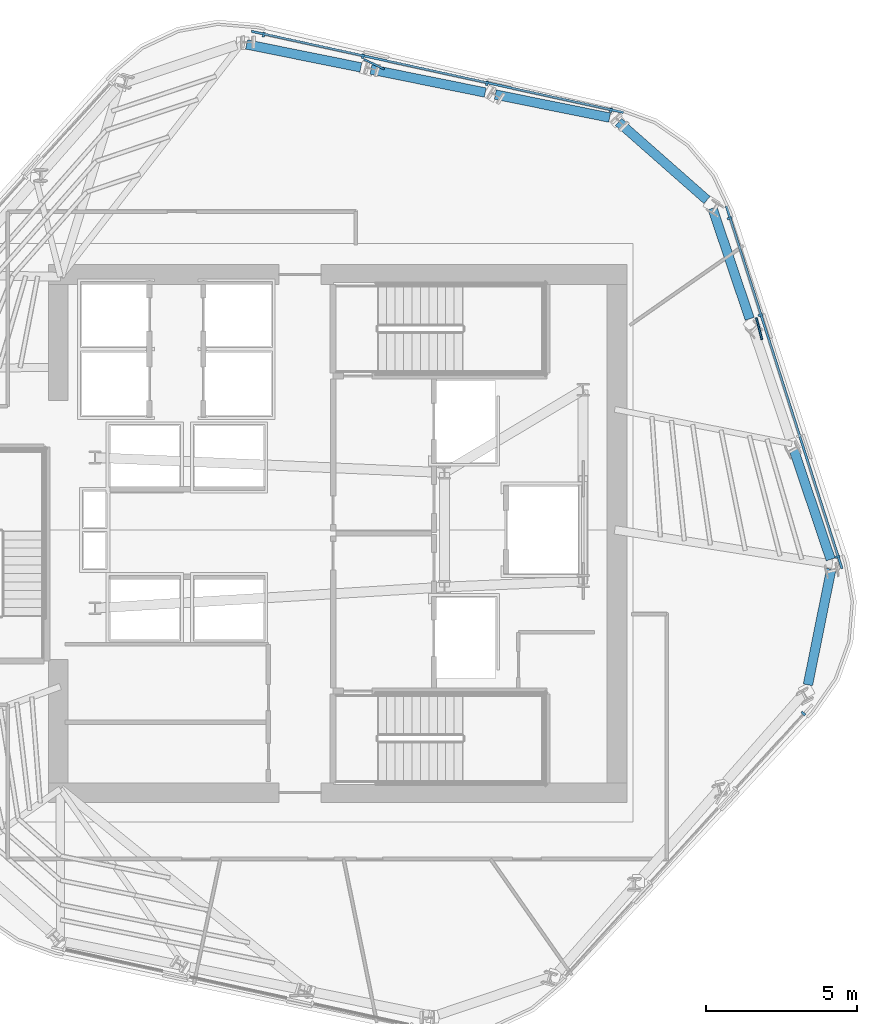
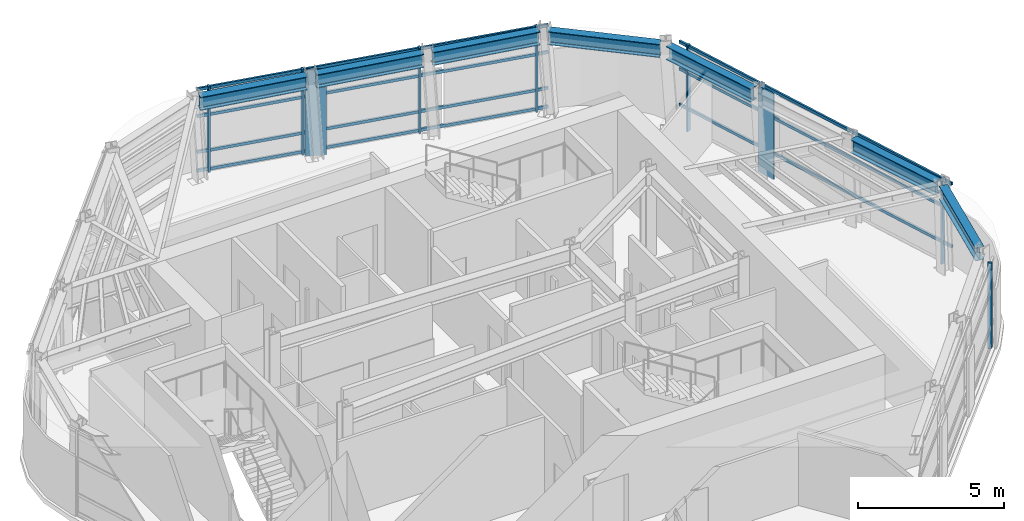
# One storey, part 5 of 13: 17 members, 7 beams, 3 elements without a shape of their own.
"""IFC4 building model written with IfcOpenShell, lengths in metres."""

import ifcopenshell
import ifcopenshell.guid

model = None  # the IFC model being written
_history = None  # IfcOwnerHistory: only IFC2X3 demands one
_inside = {}  # id of a spatial element -> (the spatial element, [elements in it])
_under = {}  # id of a project, library or spatial element -> (it, [spatial elements below it])
_declared = {}  # id of a project -> (the project, [libraries it declares])
_typed = {}  # id of a type object -> (the type object, [elements of that type])
_made_of = {}  # id of a material, layer set ... -> (it, [elements and type objects made of it])


def new_model(schema):
    """Start an empty IFC model of exactly this schema.

    Asked for "IFC4X3", IfcOpenShell would pick the latest addendum, in which some entities
    have other attributes; the version numbers below select the first issue.
    IFC2X3 requires an IfcOwnerHistory on every rooted entity: one is made here for all.
    """
    global model, _history
    if schema == "IFC4X3":
        model = ifcopenshell.file(schema_version=(4, 3, 0, 0))
    else:
        model = ifcopenshell.file(schema=schema)
    _inside.clear()
    _under.clear()
    _declared.clear()
    _typed.clear()
    _made_of.clear()
    _history = None
    if model.schema == "IFC2X3":
        org = make("IfcOrganization", Name="unknown")
        user = make(
            "IfcPersonAndOrganization",
            ThePerson=make("IfcPerson", FamilyName="unknown"),
            TheOrganization=org,
        )
        app = make(
            "IfcApplication",
            ApplicationDeveloper=org,
            Version="unknown",
            ApplicationFullName="unknown",
            ApplicationIdentifier="unknown",
        )
        _history = make(
            "IfcOwnerHistory",
            OwningUser=user,
            OwningApplication=app,
            ChangeAction="ADDED",
            CreationDate=0,
        )
    return model


def make(cls, **values):
    """One entity of the class cls with the attributes given. An attribute that is None is left unset."""
    return model.create_entity(
        cls, **{name: value for name, value in values.items() if value is not None}
    )


def rooted(cls, **values):
    """An entity with a GlobalId (a new one), such as an element, a storey or a relation."""
    return make(cls, GlobalId=ifcopenshell.guid.new(), OwnerHistory=_history, **values)


def si_unit(unit_type, name, prefix=None):
    """IfcSIUnit, for example si_unit("LENGTHUNIT", "METRE", prefix="MILLI")."""
    return make("IfcSIUnit", UnitType=unit_type, Prefix=prefix, Name=name)


def assignment(units):
    """IfcUnitAssignment: the units of a project."""
    return None if units is None else make("IfcUnitAssignment", Units=units)


def point(xyz):
    """IfcCartesianPoint."""
    return None if xyz is None else make("IfcCartesianPoint", Coordinates=xyz)


def direction(xyz):
    """IfcDirection."""
    return None if xyz is None else make("IfcDirection", DirectionRatios=xyz)


def frame(location, z_axis=None, x_axis=None):
    """IfcAxis2Placement3D, a coordinate frame: its origin and axes. An axis left out is left unset."""
    return make(
        "IfcAxis2Placement3D",
        Location=point(location),
        Axis=direction(z_axis),
        RefDirection=direction(x_axis),
    )


def frame_2d(location, x_axis=None):
    """IfcAxis2Placement2D, a coordinate frame in the plane: its origin and x axis."""
    return make(
        "IfcAxis2Placement2D", Location=point(location), RefDirection=direction(x_axis)
    )


def origin():
    """The frame at (0, 0, 0) with its axes left unset."""
    return frame((0.0, 0.0, 0.0))


def origin_2d():
    """The frame at (0, 0) in the plane with its x axis left unset."""
    return frame_2d((0.0, 0.0))


def place(relative_to, where):
    """IfcLocalPlacement: puts the frame where relative to a parent placement (None: the world)."""
    return make(
        "IfcLocalPlacement", PlacementRelTo=relative_to, RelativePlacement=where
    )


def context(
    kind, dimensions, precision=None, world=None, true_north=None, identifier=None
):
    """IfcGeometricRepresentationContext, for example the 3D "Model" context."""
    return make(
        "IfcGeometricRepresentationContext",
        ContextIdentifier=identifier,
        ContextType=kind,
        CoordinateSpaceDimension=dimensions,
        Precision=precision,
        WorldCoordinateSystem=world,
        TrueNorth=true_north,
    )


def subcontext(parent, identifier, kind, view, scale=None):
    """IfcGeometricRepresentationSubContext, for example "Body" below "Model"."""
    return make(
        "IfcGeometricRepresentationSubContext",
        ContextIdentifier=identifier,
        ContextType=kind,
        ParentContext=parent,
        TargetScale=scale,
        TargetView=view,
    )


def project(units=None, contexts=None):
    """IfcProject with its units and contexts."""
    return rooted(
        "IfcProject",
        Name="project",
        RepresentationContexts=contexts,
        UnitsInContext=assignment(units),
    )


def spatial(cls, under=None, at=None, **own):
    """A site, building, storey or space (cls), placed at a placement, below another one or the project."""
    s = rooted(cls, ObjectPlacement=at, **own)
    if under is not None:
        _under.setdefault(under.id(), (under, []))[1].append(s)
    return s


def profile(cls, at=None, kind="AREA", **sizes):
    """A parametric profile (cls). Its sizes go by their IFC names, for example OverallWidth=200.0."""
    return make(cls, ProfileType=kind, Position=at, **sizes)


def rectangle(**sizes):
    """IfcRectangleProfileDef."""
    return profile("IfcRectangleProfileDef", **sizes)


def i_section(**sizes):
    """IfcIShapeProfileDef."""
    return profile("IfcIShapeProfileDef", **sizes)


def extrude(swept, where, along, depth):
    """IfcExtrudedAreaSolid: the profile swept, set in the frame where, extruded along a direction by depth."""
    return make(
        "IfcExtrudedAreaSolid",
        SweptArea=swept,
        Position=where,
        ExtrudedDirection=direction(along),
        Depth=depth,
    )


def shape(context_of_items, identifier, shape_type, items):
    """IfcShapeRepresentation: the items that make up one representation, for example the "Body"."""
    return make(
        "IfcShapeRepresentation",
        ContextOfItems=context_of_items,
        RepresentationIdentifier=identifier,
        RepresentationType=shape_type,
        Items=items,
    )


def material(Name=None, Category=None):
    """IfcMaterial."""
    return make("IfcMaterial", Name=Name, Category=Category)


def layer(
    of_material, thickness, ventilated=None, Name=None, Category=None, Priority=None
):
    """IfcMaterialLayer: one layer of a wall or slab, of a material (None: an air gap)."""
    return make(
        "IfcMaterialLayer",
        Material=of_material,
        LayerThickness=thickness,
        IsVentilated=ventilated,
        Name=Name,
        Category=Category,
        Priority=Priority,
    )


def layer_set(layers, Name=None):
    """IfcMaterialLayerSet."""
    return make("IfcMaterialLayerSet", MaterialLayers=layers, LayerSetName=Name)


def material_profile(
    of_material, cross_section, Name=None, Category=None, Priority=None
):
    """IfcMaterialProfile: a cross section and its material."""
    return make(
        "IfcMaterialProfile",
        Name=Name,
        Material=of_material,
        Profile=cross_section,
        Priority=Priority,
        Category=Category,
    )


def profile_set(profiles, Name=None, composite=None):
    """IfcMaterialProfileSet."""
    return make(
        "IfcMaterialProfileSet",
        Name=Name,
        MaterialProfiles=profiles,
        CompositeProfile=composite,
    )


def made_of(thing, what):
    """Note that an element or type object is made of a material, layer set ...; save() writes the relation."""
    if what is not None:
        _made_of.setdefault(what.id(), (what, []))[1].append(thing)
    return thing


def type_object(cls, material=None, **own):
    """A type object (cls), such as IfcWallType, which elements share."""
    return made_of(rooted(cls, **own), material)


def element(
    cls,
    number,
    at=None,
    inside=None,
    cuts=None,
    type_object=None,
    material=None,
    context=None,
    identifier="Body",
    shape_type=None,
    held_by="IfcProductDefinitionShape",
    body=None,
    shapes=None,
    **own,
):
    """One element of the class cls, such as IfcWall. Its Tag is "e" and its number.

    at: its placement. inside: the storey or other place that contains it. cuts: it is an
    opening in that element (IfcRelVoidsElement). A single representation is given by context,
    identifier, shape_type and body (its items); several are given by shapes. held_by: the class
    of the entity that holds the representations. save() writes the other relations.
    """
    e = rooted(cls, Tag="e%d" % number, ObjectPlacement=at, **own)
    if body is not None:
        shapes = [shape(context, identifier, shape_type, body)]
    if shapes is not None:
        e.Representation = make(held_by, Representations=shapes)
    if inside is not None:
        _inside.setdefault(inside.id(), (inside, []))[1].append(e)
    if cuts is not None:
        rooted(
            "IfcRelVoidsElement", RelatingBuildingElement=cuts, RelatedOpeningElement=e
        )
    if type_object is not None:
        _typed.setdefault(type_object.id(), (type_object, []))[1].append(e)
    return made_of(e, material)


def aggregate(whole, parts):
    """IfcRelAggregates: a whole, such as a stair, and the parts it consists of."""
    return rooted("IfcRelAggregates", RelatingObject=whole, RelatedObjects=parts)


def save(model, path):
    """Write the relations noted so far, then the file.

    IfcRelAggregates (storeys below a building ...), IfcRelContainedInSpatialStructure (elements
    in a storey), IfcRelDefinesByType, IfcRelAssociatesMaterial and IfcRelDeclares: one each for
    every whole, place, type object, material and project.
    """
    for whole, parts in _under.values():
        aggregate(whole, parts)
    for where, things in _inside.values():
        rooted(
            "IfcRelContainedInSpatialStructure",
            RelatedElements=things,
            RelatingStructure=where,
        )
    for kind, things in _typed.values():
        rooted("IfcRelDefinesByType", RelatedObjects=things, RelatingType=kind)
    for what, things in _made_of.values():
        rooted("IfcRelAssociatesMaterial", RelatedObjects=things, RelatingMaterial=what)
    for by, libraries in _declared.values():
        rooted("IfcRelDeclares", RelatingContext=by, RelatedDefinitions=libraries)
    model.write(path)


model = new_model("IFC4")

# Units and contexts
model_context = context("Model", 3, precision=1e-05, world=origin(), true_north=direction((0.0, 1.0)))
body_context = subcontext(model_context, "Body", "Model", "MODEL_VIEW")
ifc_project = project(units=[si_unit("LENGTHUNIT", "METRE"), si_unit("AREAUNIT", "SQUARE_METRE"), si_unit("VOLUMEUNIT", "CUBIC_METRE"), si_unit("PLANEANGLEUNIT", "RADIAN"), si_unit("MASSUNIT", "GRAM", prefix="KILO")], contexts=[model_context])

# Site, building, storey
site_placement = place(None, origin())
site = spatial("IfcSite", under=ifc_project, at=site_placement, CompositionType="ELEMENT")
building_placement = place(site_placement, origin())
building = spatial("IfcBuilding", under=site, at=building_placement, Name="Valkerne Bourse Tower", CompositionType="ELEMENT")
storey_placement = place(building_placement, frame((0.0, 0.0, 228.39990234375)))
storey = spatial("IfcBuildingStorey", under=building, at=storey_placement, Name="L58", CompositionType="ELEMENT", Elevation=228.39990234375)

# Beams
ifc_material_1 = material(Name="Steel ASTM A992", Category="steel")
ifc_material_profile_1 = material_profile(ifc_material_1, i_section(OverallWidth=0.31494140625, OverallDepth=0.5537109375, WebThickness=0.0166015625, FlangeThickness=0.026123046875, FilletRadius=0.020263671875, at=origin_2d()), Name="W21X132")
ifc_profile_set_1 = profile_set([ifc_material_profile_1], Name="Steel ASTM A992")
beam_type = type_object("IfcBeamType", Name="BM-W21X132", PredefinedType="BEAM", material=ifc_profile_set_1)
for number, where, z_axis, x_axis, name in (
    (1, (55.830810546875, 40.68359375, 3.3232421875), (-0.980269037693, 0.19766793807, 0.0), (-0.19766793807, -0.980269037693, 0.0), "L58 Hexagonal Spandrel Ring Beam 00"),
    (2, (51.701904296875, 41.51611328125, 3.3232421875), (-0.980269037693, 0.19766793807, 0.0), (-0.19766793807, -0.980269037693, 0.0), "L58 Hexagonal Spandrel Ring Beam 01"),
    (3, (47.572998046875, 42.348876953125, 3.3232421875), (-0.980281253412, 0.197607348568, 0.0), (-0.197607348568, -0.980281253412, 0.0), "L58 Hexagonal Spandrel Ring Beam 02"),
):
    element("IfcBeam", number, at=place(storey_placement, frame(where, z_axis=z_axis, x_axis=x_axis)), inside=storey, type_object=beam_type, Name=name, PredefinedType="BEAM", context=body_context, shape_type="SweptSolid", body=[
        extrude(i_section(OverallWidth=0.31494140625, OverallDepth=0.5537109375, WebThickness=0.0166015625, FlangeThickness=0.026123046875, FilletRadius=0.020263671875, at=origin_2d()), origin(), (0.0, 0.0, 1.0), 3.8720703125),
    ])
beam_1_placement = place(storey_placement, frame((62.41259765625, 21.854736328125, 3.3232421875), z_axis=(0.19765067326, 0.980272518925, 0.0), x_axis=(-0.980272518925, 0.19765067326, 0.0)))
element("IfcBeam", 4, at=beam_1_placement, inside=storey, type_object=beam_type, Name="L58 Hexagonal Spandrel Ring Beam 19", PredefinedType="BEAM", context=body_context, shape_type="SweptSolid", body=[
    extrude(i_section(OverallWidth=0.31494140625, OverallDepth=0.5537109375, WebThickness=0.0166015625, FlangeThickness=0.026123046875, FilletRadius=0.020263671875, at=origin_2d()), origin(), (0.0, 0.0, 1.0), 3.91552734375),
])
for number, where, z_axis, x_axis, name in (
    (5, (63.166015625, 26.02099609375, 3.3232421875), (-0.318988173822, 0.947758695535, 0.0), (-0.947758695535, -0.318988173822, 0.0), "L58 Hexagonal Spandrel Ring Beam 20"),
    (6, (60.47900390625, 34.0048828125, 3.3232421875), (-0.31896911229, 0.947765110882, 0.0), (-0.947765110882, -0.31896911229, 0.0), "L58 Hexagonal Spandrel Ring Beam 22"),
):
    element("IfcBeam", number, at=place(storey_placement, frame(where, z_axis=z_axis, x_axis=x_axis)), inside=storey, type_object=beam_type, Name=name, PredefinedType="BEAM", context=body_context, shape_type="SweptSolid", body=[
        extrude(i_section(OverallWidth=0.31494140625, OverallDepth=0.5537109375, WebThickness=0.0166015625, FlangeThickness=0.026123046875, FilletRadius=0.020263671875, at=origin_2d()), origin(), (0.0, 0.0, 1.0), 3.8720703125),
    ])
beam_2_placement = place(storey_placement, frame((59.062255859375, 37.9482421875, 3.3232421875), z_axis=(-0.750134367688, 0.661285437927, 0.0), x_axis=(-0.661285437927, -0.750134367688, 0.0)))
element("IfcBeam", 7, at=beam_2_placement, inside=storey, type_object=beam_type, Name="L58 Hexagonal Spandrel Ring Beam 23", PredefinedType="BEAM", context=body_context, shape_type="SweptSolid", body=[
    extrude(i_section(OverallWidth=0.31494140625, OverallDepth=0.5537109375, WebThickness=0.0166015625, FlangeThickness=0.026123046875, FilletRadius=0.020263671875, at=origin_2d()), origin(), (0.0, 0.0, 1.0), 3.91552734375),
])

# Curtain wall, members
ifc_material_2 = material(Name="Aluminium AA 6063-T6", Category="aluminium")
ifc_layer = layer(ifc_material_2, 0.239990234375)
ifc_layer_set = layer_set([ifc_layer], Name="Aluminium AA 6063-T6")
curtain_wall_type = type_object("IfcCurtainWallType", Name="CW-04", PredefinedType="NOTDEFINED", material=ifc_layer_set)
curtain_wall_1_placement = place(storey_placement, origin())
curtain_wall_1 = element("IfcCurtainWall", 8, at=curtain_wall_1_placement, inside=storey, type_object=curtain_wall_type, Name="L58 Hexagonal Stick Curtain Wall Face 1", PredefinedType="NOTDEFINED")
ifc_material_profile_2 = material_profile(ifc_material_2, rectangle(XDim=0.074951171875, YDim=0.159912109375, at=origin_2d()), Name="CWM-75X160")
ifc_profile_set_2 = profile_set([ifc_material_profile_2], Name="Aluminium AA 6063-T6")
member_type_1 = type_object("IfcMemberType", Name="CW-MUL-160X75", PredefinedType="MULLION", material=ifc_profile_set_2)
member_1_placement = place(storey_placement, frame((55.872802734375, 40.925537109375, 0.0), z_axis=(0.0, 0.0, 1.0), x_axis=(-0.977044611167, 0.213034804174, 0.0)))
member_1 = element("IfcMember", 9, at=member_1_placement, type_object=member_type_1, Name="CW-L58-F1 Jamb Mullion 00A", PredefinedType="MULLION", context=body_context, shape_type="SweptSolid", body=[
    extrude(rectangle(XDim=0.074951171875, YDim=0.159912109375, at=origin_2d()), origin(), (0.0, 0.0, 1.0), 3.60009765625),
])
member_2_placement = place(storey_placement, frame((51.757568359375, 41.822998046875, 0.0), z_axis=(0.0, 0.0, 1.0), x_axis=(-0.977045688621, 0.213029862571, 0.0)))
member_2 = element("IfcMember", 10, at=member_2_placement, type_object=member_type_1, Name="CW-L58-F1 Jamb Mullion 01A", PredefinedType="MULLION", context=body_context, shape_type="SweptSolid", body=[
    extrude(rectangle(XDim=0.074951171875, YDim=0.159912109375, at=origin_2d()), origin(), (0.0, 0.0, 1.0), 3.60009765625),
])
member_3_placement = place(storey_placement, frame((47.64208984375, 42.72021484375, 0.0), z_axis=(0.0, 0.0, 1.0), x_axis=(-0.977044611167, 0.213034804174, 0.0)))
member_3 = element("IfcMember", 11, at=member_3_placement, type_object=member_type_1, Name="CW-L58-F1 Jamb Mullion 02A", PredefinedType="MULLION", context=body_context, shape_type="SweptSolid", body=[
    extrude(rectangle(XDim=0.074951171875, YDim=0.159912109375, at=origin_2d()), origin(), (0.0, 0.0, 1.0), 3.60009765625),
])
member_4_placement = place(storey_placement, frame((44.34765625, 43.4384765625, 0.0), z_axis=(0.0, 0.0, 1.0), x_axis=(-0.977044611167, 0.213034804174, 0.0)))
member_4 = element("IfcMember", 12, at=member_4_placement, type_object=member_type_1, Name="CW-L58-F1 Jamb Mullion 02B", PredefinedType="MULLION", context=body_context, shape_type="SweptSolid", body=[
    extrude(rectangle(XDim=0.074951171875, YDim=0.159912109375, at=origin_2d()), origin(), (0.0, 0.0, 1.0), 3.60009765625),
])

# Curtain wall, member
curtain_wall_2_placement = place(storey_placement, origin())
curtain_wall_2 = element("IfcCurtainWall", 13, at=curtain_wall_2_placement, inside=storey, type_object=curtain_wall_type, Name="L58 Hexagonal Stick Curtain Wall Face 5", PredefinedType="NOTDEFINED")
member_5_placement = place(storey_placement, frame((62.262451171875, 20.904541015625, 0.0), z_axis=(0.0, 0.0, 1.0), x_axis=(0.673024865933, 0.73961985495, 0.0)))
member_5 = element("IfcMember", 14, at=member_5_placement, type_object=member_type_1, Name="CW-L58-F5 Jamb Mullion 02B", PredefinedType="MULLION", context=body_context, shape_type="SweptSolid", body=[
    extrude(rectangle(XDim=0.074951171875, YDim=0.159912109375, at=origin_2d()), origin(), (0.0, 0.0, 1.0), 3.60009765625),
])
aggregate(curtain_wall_2, [member_5])

# Curtain wall, members
curtain_wall_3_placement = place(storey_placement, origin())
curtain_wall_3 = element("IfcCurtainWall", 15, at=curtain_wall_3_placement, inside=storey, type_object=curtain_wall_type, Name="L58 Hexagonal Stick Curtain Wall Face 6", PredefinedType="NOTDEFINED")
member_6_placement = place(storey_placement, frame((63.396240234375, 26.10546875, 0.0), z_axis=(0.0, 0.0, 1.0), x_axis=(-0.304014958903, 0.952667258157, 0.0)))
member_6 = element("IfcMember", 16, at=member_6_placement, type_object=member_type_1, Name="CW-L58-F6 Jamb Mullion 00A", PredefinedType="MULLION", context=body_context, shape_type="SweptSolid", body=[
    extrude(rectangle(XDim=0.074951171875, YDim=0.159912109375, at=origin_2d()), origin(), (0.0, 0.0, 1.0), 3.60009765625),
])
member_7_placement = place(storey_placement, frame((60.835205078125, 34.130615234375, 0.0), z_axis=(0.0, 0.0, 1.0), x_axis=(-0.304036506204, 0.952660381718, 0.0)))
member_7 = element("IfcMember", 17, at=member_7_placement, type_object=member_type_1, Name="CW-L58-F6 Jamb Mullion 02A", PredefinedType="MULLION", context=body_context, shape_type="SweptSolid", body=[
    extrude(rectangle(XDim=0.074951171875, YDim=0.159912109375, at=origin_2d()), origin(), (0.0, 0.0, 1.0), 3.60009765625),
])
member_8_placement = place(storey_placement, frame((59.81005859375, 37.343017578125, 0.0), z_axis=(0.0, 0.0, 1.0), x_axis=(-0.304036506204, 0.952660381718, 0.0)))
member_8 = element("IfcMember", 18, at=member_8_placement, type_object=member_type_1, Name="CW-L58-F6 Jamb Mullion 02B", PredefinedType="MULLION", context=body_context, shape_type="SweptSolid", body=[
    extrude(rectangle(XDim=0.074951171875, YDim=0.159912109375, at=origin_2d()), origin(), (0.0, 0.0, 1.0), 3.60009765625),
])

# Member
ifc_material_profile_3 = material_profile(ifc_material_2, rectangle(XDim=0.074951171875, YDim=0.1201171875, at=origin_2d()), Name="CWT-75X120")
ifc_profile_set_3 = profile_set([ifc_material_profile_3], Name="Aluminium AA 6063-T6")
member_type_2 = type_object("IfcMemberType", Name="CW-TRN-120X75", PredefinedType="USERDEFINED", material=ifc_profile_set_3)
member_9_placement = place(storey_placement, frame((56.28759765625, 40.855712890625, 0.1201171875), z_axis=(-0.977045747838, 0.213029590976, 0.0), x_axis=(-0.213029590976, -0.977045747838, 0.0)))
member_9 = element("IfcMember", 19, at=member_9_placement, type_object=member_type_2, Name="CW-L58-F1 Continuous Face Transom 1", ObjectType="TRANSOM", PredefinedType="USERDEFINED", context=body_context, shape_type="SweptSolid", body=[
    extrude(rectangle(XDim=0.074951171875, YDim=0.1201171875, at=origin_2d()), origin(), (0.0, 0.0, 1.0), 12.63623046875),
])

member_10_placement = place(storey_placement, frame((56.28759765625, 40.855712890625, 0.900146484375), z_axis=(-0.977045747838, 0.213029590976, 0.0), x_axis=(-0.213029590976, -0.977045747838, 0.0)))
member_10 = element("IfcMember", 20, at=member_10_placement, type_object=member_type_2, Name="CW-L58-F1 Continuous Face Transom 2", ObjectType="TRANSOM", PredefinedType="USERDEFINED", context=body_context, shape_type="SweptSolid", body=[
    extrude(rectangle(XDim=0.074951171875, YDim=0.1201171875, at=origin_2d()), origin(), (0.0, 0.0, 1.0), 12.63623046875),
])

member_11_placement = place(storey_placement, frame((56.28759765625, 40.855712890625, 2.400146484375), z_axis=(-0.977045747838, 0.213029590976, 0.0), x_axis=(-0.213029590976, -0.977045747838, 0.0)))
member_11 = element("IfcMember", 21, at=member_11_placement, type_object=member_type_2, Name="CW-L58-F1 Continuous Face Transom 3", ObjectType="TRANSOM", PredefinedType="USERDEFINED", context=body_context, shape_type="SweptSolid", body=[
    extrude(rectangle(XDim=0.074951171875, YDim=0.1201171875, at=origin_2d()), origin(), (0.0, 0.0, 1.0), 12.63623046875),
])

member_12_placement = place(storey_placement, frame((56.28759765625, 40.855712890625, 3.52001953125), z_axis=(-0.977045747838, 0.213029590976, 0.0), x_axis=(-0.213029590976, -0.977045747838, 0.0)))
member_12 = element("IfcMember", 22, at=member_12_placement, type_object=member_type_2, Name="CW-L58-F1 Continuous Face Transom 4", ObjectType="TRANSOM", PredefinedType="USERDEFINED", context=body_context, shape_type="SweptSolid", body=[
    extrude(rectangle(XDim=0.074951171875, YDim=0.1201171875, at=origin_2d()), origin(), (0.0, 0.0, 1.0), 12.63623046875),
])

aggregate(curtain_wall_1, [member_9, member_10, member_11, member_12, member_1, member_2, member_3, member_4])

member_13_placement = place(storey_placement, frame((63.543212890625, 25.71142578125, 0.900146484375), z_axis=(-0.304035323693, 0.952660759109, 0.0), x_axis=(-0.952660759109, -0.304035323693, 0.0)))
member_13 = element("IfcMember", 23, at=member_13_placement, type_object=member_type_2, Name="CW-L58-F6 Continuous Face Transom 2", ObjectType="TRANSOM", PredefinedType="USERDEFINED", context=body_context, shape_type="SweptSolid", body=[
    extrude(rectangle(XDim=0.074951171875, YDim=0.1201171875, at=origin_2d()), origin(), (0.0, 0.0, 1.0), 12.635986328125),
])

member_14_placement = place(storey_placement, frame((63.543212890625, 25.71142578125, 2.400146484375), z_axis=(-0.304035323693, 0.952660759109, 0.0), x_axis=(-0.952660759109, -0.304035323693, 0.0)))
member_14 = element("IfcMember", 24, at=member_14_placement, type_object=member_type_2, Name="CW-L58-F6 Continuous Face Transom 3", ObjectType="TRANSOM", PredefinedType="USERDEFINED", context=body_context, shape_type="SweptSolid", body=[
    extrude(rectangle(XDim=0.074951171875, YDim=0.1201171875, at=origin_2d()), origin(), (0.0, 0.0, 1.0), 12.635986328125),
])

member_15_placement = place(storey_placement, frame((63.543212890625, 25.71142578125, 3.52001953125), z_axis=(-0.304035323693, 0.952660759109, 0.0), x_axis=(-0.952660759109, -0.304035323693, 0.0)))
member_15 = element("IfcMember", 25, at=member_15_placement, type_object=member_type_2, Name="CW-L58-F6 Continuous Face Transom 4", ObjectType="TRANSOM", PredefinedType="USERDEFINED", context=body_context, shape_type="SweptSolid", body=[
    extrude(rectangle(XDim=0.074951171875, YDim=0.1201171875, at=origin_2d()), origin(), (0.0, 0.0, 1.0), 12.635986328125),
])

aggregate(curtain_wall_3, [member_13, member_14, member_15, member_6, member_7, member_8])

# Members
ifc_material_3 = material(Name="Bronze Anodised Aluminium AA 6063-T6", Category="aluminium")
ifc_material_profile_4 = material_profile(ifc_material_3, rectangle(XDim=0.06494140625, YDim=0.75, at=origin_2d()), Name="FIN-65X750")
ifc_profile_set_4 = profile_set([ifc_material_profile_4], Name="Bronze Anodised Aluminium AA 6063-T6")
member_type_3 = type_object("IfcMemberType", Name="FIN-SOLAR-650", PredefinedType="USERDEFINED", material=ifc_profile_set_4)
for number, where, z_axis, x_axis, name in (
    (26, (48.01416015625, 42.454833984375, 0.004150390625), (0.0, 0.0, 1.0), (0.435294678799, 0.900288033137, 0.0), "L58 Bronze Anodised Solar Fin F1-02"),
    (27, (60.79150390625, 33.67578125, 0.004150390625), (0.0, 0.0, 1.0), (0.969669516972, 0.244419777954, 0.0), "L58 Bronze Anodised Solar Fin F6-02"),
):
    element("IfcMember", number, at=place(storey_placement, frame(where, z_axis=z_axis, x_axis=x_axis)), inside=storey, type_object=member_type_3, Name=name, ObjectType="SOLAR_FIN", PredefinedType="USERDEFINED", context=body_context, shape_type="SweptSolid", body=[
        extrude(rectangle(XDim=0.06494140625, YDim=0.75, at=origin_2d()), origin(), (0.0, 0.0, 1.0), 3.592041015625),
    ])

save(model, "model.ifc")
